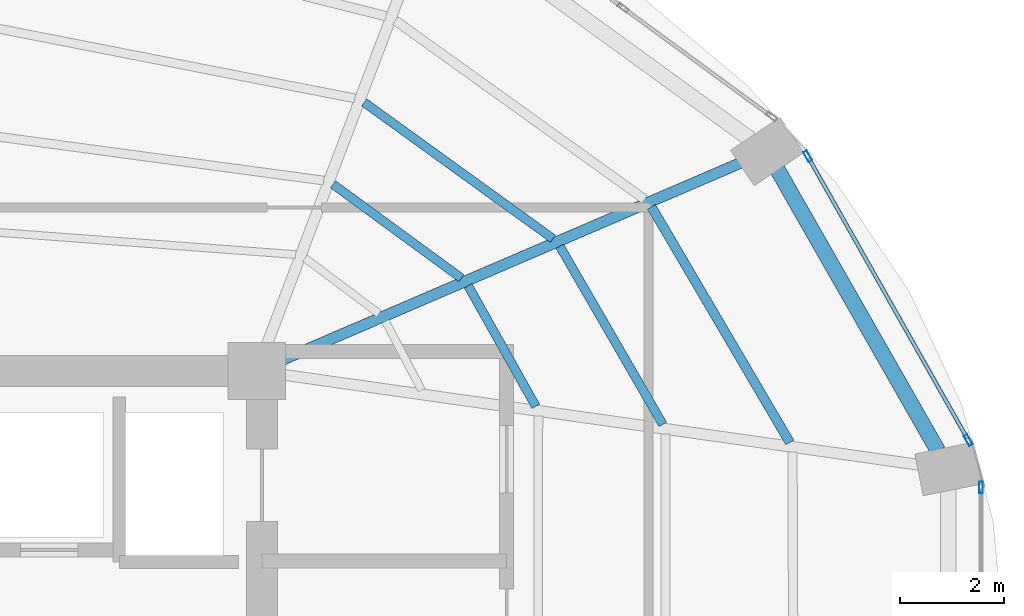
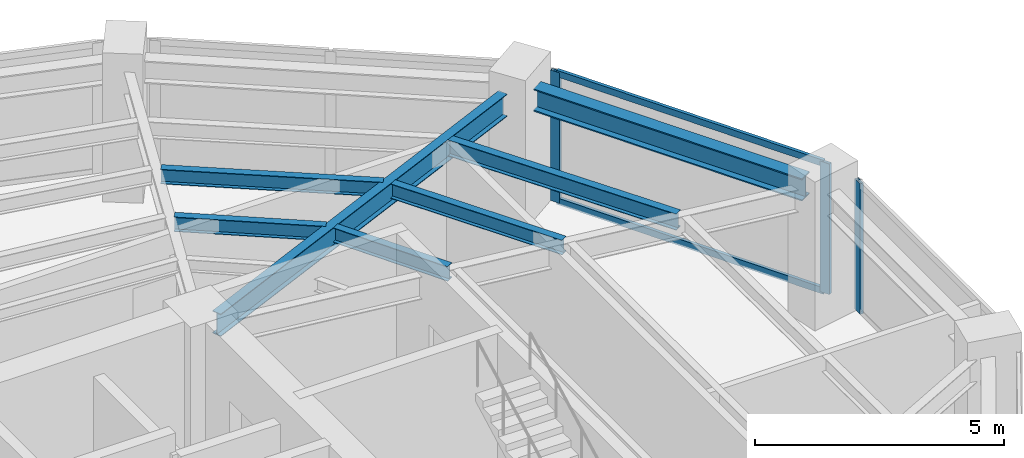
# One storey, part 11 of 20: 7 beams, 5 members, 2 elements without a shape of their own.
"""IFC4 building model written with IfcOpenShell, lengths in metres."""

from ifc_helpers import new_model, si_unit, direction, frame, origin, origin_2d, place, context, subcontext, project, spatial, hollow_rectangle, i_section, extrude, material, layer, layer_set, material_profile, profile_set, type_object, element, aggregate, save


model = new_model("IFC4")

# Units and contexts
model_context = context("Model", 3, precision=1e-05, world=origin(), true_north=direction((0.0, 1.0)))
body_context = subcontext(model_context, "Body", "Model", "MODEL_VIEW")
ifc_project = project(units=[si_unit("LENGTHUNIT", "METRE"), si_unit("AREAUNIT", "SQUARE_METRE"), si_unit("VOLUMEUNIT", "CUBIC_METRE"), si_unit("PLANEANGLEUNIT", "RADIAN"), si_unit("MASSUNIT", "GRAM", prefix="KILO")], contexts=[model_context])

# Site, building, storey
site_placement = place(None, origin())
site = spatial("IfcSite", under=ifc_project, at=site_placement, CompositionType="ELEMENT")
building_placement = place(site_placement, origin())
building = spatial("IfcBuilding", under=site, at=building_placement, Name="Lazwardi Medical Tower", CompositionType="ELEMENT")
storey_placement = place(building_placement, frame((0.0, 0.0, 185.7119140625)))
storey = spatial("IfcBuildingStorey", under=building, at=storey_placement, Name="L48", CompositionType="ELEMENT", Elevation=185.7119140625)

# Beams
ifc_material_1 = material(Name="Steel S355", Category="steel")
ifc_material_profile_1 = material_profile(ifc_material_1, i_section(OverallWidth=0.300048828125, OverallDepth=0.550048828125, WebThickness=0.014892578125, FlangeThickness=0.029052734375, at=origin_2d()), Name="HEB 550")
ifc_profile_set_1 = profile_set([ifc_material_profile_1], Name="Steel S355")
beam_type_1 = type_object("IfcBeamType", Name="BM-RB-Z3", PredefinedType="BEAM", material=ifc_profile_set_1)
beam_1_placement = place(storey_placement, frame((58.727783203125, 34.05908203125, 2.923095703125), z_axis=(-0.495460926326, 0.868630226554, 0.0), x_axis=(-0.868630226554, -0.495460926326, 0.0)))
element("IfcBeam", 1, at=beam_1_placement, inside=storey, type_object=beam_type_1, Name="Ring beam RB-04 B05 L48", PredefinedType="BEAM", context=body_context, shape_type="SweptSolid", body=[
    extrude(i_section(OverallWidth=0.300048828125, OverallDepth=0.550048828125, WebThickness=0.014892578125, FlangeThickness=0.029052734375, at=origin_2d()), origin(), (0.0, 0.0, 1.0), 6.24462890625),
])
ifc_material_profile_2 = material_profile(ifc_material_1, i_section(OverallWidth=0.2099609375, OverallDepth=0.550048828125, WebThickness=0.010986328125, FlangeThickness=0.01708984375, at=origin_2d()), Name="IPE 550")
ifc_profile_set_2 = profile_set([ifc_material_profile_2], Name="Steel S355")
beam_type_2 = type_object("IfcBeamType", Name="BM-RG-W2", PredefinedType="BEAM", material=ifc_profile_set_2)
beam_2_placement = place(storey_placement, frame((54.921142578125, 39.609619140625, 2.923095703125), z_axis=(-0.918608156288, -0.395169653695, 0.0), x_axis=(0.395169653695, -0.918608156288, 0.0)))
element("IfcBeam", 2, at=beam_2_placement, inside=storey, type_object=beam_type_2, Name="Radial girder RG-03 R06 L48", PredefinedType="BEAM", context=body_context, shape_type="SweptSolid", body=[
    extrude(i_section(OverallWidth=0.2099609375, OverallDepth=0.550048828125, WebThickness=0.010986328125, FlangeThickness=0.01708984375, at=origin_2d()), origin(), (0.0, 0.0, 1.0), 9.61181640625),
])
ifc_material_profile_3 = material_profile(ifc_material_1, i_section(OverallWidth=0.179931640625, OverallDepth=0.39990234375, WebThickness=0.008544921875, FlangeThickness=0.013427734375, at=origin_2d()), Name="IPE 400")
ifc_profile_set_3 = profile_set([ifc_material_profile_3], Name="Steel S355")
beam_type_3 = type_object("IfcBeamType", Name="BM-SJ-01", PredefinedType="JOIST", material=ifc_profile_set_3)
beam_3_placement = place(storey_placement, frame((55.872314453125, 34.223388671875, 2.998046875), z_axis=(-0.506420212881, 0.862286824662, 0.0), x_axis=(-0.862286824662, -0.506420212881, 0.0)))
element("IfcBeam", 3, at=beam_3_placement, inside=storey, type_object=beam_type_3, Name="Secondary joist SJ-01 R1 B05 L48", PredefinedType="JOIST", context=body_context, shape_type="SweptSolid", body=[
    extrude(i_section(OverallWidth=0.179931640625, OverallDepth=0.39990234375, WebThickness=0.008544921875, FlangeThickness=0.013427734375, at=origin_2d()), origin(), (0.0, 0.0, 1.0), 5.265380859375),
])
ifc_material_profile_4 = material_profile(ifc_material_1, i_section(OverallWidth=0.169921875, OverallDepth=0.360107421875, WebThickness=0.008056640625, FlangeThickness=0.0126953125, at=origin_2d()), Name="IPE 360")
ifc_profile_set_4 = profile_set([ifc_material_profile_4], Name="Steel S355")
beam_type_4 = type_object("IfcBeamType", Name="BM-SJ-02", PredefinedType="JOIST", material=ifc_profile_set_4)
beam_4_placement = place(storey_placement, frame((53.4248046875, 34.57080078125, 3.01806640625), z_axis=(-0.500640648605, 0.865655209055, 0.0), x_axis=(-0.865655209055, -0.500640648605, 0.0)))
element("IfcBeam", 4, at=beam_4_placement, inside=storey, type_object=beam_type_4, Name="Secondary joist SJ-02 R2 B05 L48", PredefinedType="JOIST", context=body_context, shape_type="SweptSolid", body=[
    extrude(i_section(OverallWidth=0.169921875, OverallDepth=0.360107421875, WebThickness=0.008056640625, FlangeThickness=0.0126953125, at=origin_2d()), origin(), (0.0, 0.0, 1.0), 3.965576171875),
])
beam_5_placement = place(storey_placement, frame((51.30810546875, 38.148681640625, 3.01806640625), z_axis=(-0.810738039179, 0.585409114917, 0.0), x_axis=(-0.585409114917, -0.810738039179, 0.0)))
element("IfcBeam", 5, at=beam_5_placement, inside=storey, type_object=beam_type_4, Name="Secondary joist SJ-02 R2 B06 L48", PredefinedType="JOIST", context=body_context, shape_type="SweptSolid", body=[
    extrude(i_section(OverallWidth=0.169921875, OverallDepth=0.360107421875, WebThickness=0.008056640625, FlangeThickness=0.0126953125, at=origin_2d()), origin(), (0.0, 0.0, 1.0), 4.48779296875),
])
beam_6_placement = place(storey_placement, frame((50.977294921875, 34.918212890625, 3.01806640625), z_axis=(-0.489408945026, 0.872054404569, 0.0), x_axis=(-0.872054404569, -0.489408945026, 0.0)))
element("IfcBeam", 6, at=beam_6_placement, inside=storey, type_object=beam_type_4, Name="Secondary joist SJ-02 R3 B05 L48", PredefinedType="JOIST", context=body_context, shape_type="SweptSolid", body=[
    extrude(i_section(OverallWidth=0.169921875, OverallDepth=0.360107421875, WebThickness=0.008056640625, FlangeThickness=0.0126953125, at=origin_2d()), origin(), (0.0, 0.0, 1.0), 2.666259765625),
])
beam_7_placement = place(storey_placement, frame((49.54248046875, 37.3896484375, 3.01806640625), z_axis=(-0.807285959008, 0.590160470033, 0.0), x_axis=(-0.590160470033, -0.807285959008, 0.0)))
element("IfcBeam", 7, at=beam_7_placement, inside=storey, type_object=beam_type_4, Name="Secondary joist SJ-02 R3 B06 L48", PredefinedType="JOIST", context=body_context, shape_type="SweptSolid", body=[
    extrude(i_section(OverallWidth=0.169921875, OverallDepth=0.360107421875, WebThickness=0.008056640625, FlangeThickness=0.0126953125, at=origin_2d()), origin(), (0.0, 0.0, 1.0), 3.06298828125),
])

# Curtain wall, member
ifc_material_2 = material(Name="Anodised bronze aluminium and solar control glazing", Category="aluminium")
ifc_layer = layer(ifc_material_2, 0.195068359375)
ifc_layer_set = layer_set([ifc_layer], Name="Anodised bronze aluminium and solar control glazing")
curtain_wall_type = type_object("IfcCurtainWallType", Name="CW-SYS-03", PredefinedType="NOTDEFINED", material=ifc_layer_set)
curtain_wall_1_placement = place(storey_placement, origin())
curtain_wall_1 = element("IfcCurtainWall", 8, at=curtain_wall_1_placement, inside=storey, type_object=curtain_wall_type, Name="L48 Unitised bronze curtain wall CW-03", PredefinedType="NOTDEFINED")
ifc_material_3 = material(Name="Anodised bronze aluminium", Category="aluminium")
ifc_material_profile_5 = material_profile(ifc_material_3, hollow_rectangle(XDim=0.074951171875, YDim=0.219970703125, WallThickness=0.00390625, at=origin_2d()), Name="ALU-MULLION 220x75x4")
ifc_profile_set_5 = profile_set([ifc_material_profile_5], Name="Anodised bronze aluminium")
member_type_1 = type_object("IfcMemberType", Name="CW-MUL-01", PredefinedType="MULLION", material=ifc_profile_set_5)
member_1_placement = place(storey_placement, frame((59.5576171875, 33.35791015625, 0.0), z_axis=(0.0, 0.0, 1.0), x_axis=(-1.0, 0.0, 0.0)))
member_1 = element("IfcMember", 9, at=member_1_placement, type_object=member_type_1, Name="CW-03 mullion 2", PredefinedType="MULLION", context=body_context, shape_type="SweptSolid", body=[
    extrude(hollow_rectangle(XDim=0.074951171875, YDim=0.219970703125, WallThickness=0.00390625, at=origin_2d()), origin(), (0.0, 0.0, 1.0), 3.197998046875),
])
aggregate(curtain_wall_1, [member_1])

# Curtain wall, members
curtain_wall_2_placement = place(storey_placement, origin())
curtain_wall_2 = element("IfcCurtainWall", 10, at=curtain_wall_2_placement, inside=storey, type_object=curtain_wall_type, Name="L48 Unitised bronze curtain wall CW-03", PredefinedType="NOTDEFINED")
member_2_placement = place(storey_placement, frame((59.31103515625, 34.267333984375, 0.0), z_axis=(0.0, 0.0, 1.0), x_axis=(-0.870418989303, -0.492311672683, 0.0)))
member_2 = element("IfcMember", 11, at=member_2_placement, type_object=member_type_1, Name="CW-03 mullion 1", PredefinedType="MULLION", context=body_context, shape_type="SweptSolid", body=[
    extrude(hollow_rectangle(XDim=0.074951171875, YDim=0.219970703125, WallThickness=0.00390625, at=origin_2d()), origin(), (0.0, 0.0, 1.0), 3.197998046875),
])
member_3_placement = place(storey_placement, frame((56.217529296875, 39.73681640625, 0.0), z_axis=(0.0, 0.0, 1.0), x_axis=(-0.870418989303, -0.492311672683, 0.0)))
member_3 = element("IfcMember", 12, at=member_3_placement, type_object=member_type_1, Name="CW-03 mullion 2", PredefinedType="MULLION", context=body_context, shape_type="SweptSolid", body=[
    extrude(hollow_rectangle(XDim=0.074951171875, YDim=0.219970703125, WallThickness=0.00390625, at=origin_2d()), origin(), (0.0, 0.0, 1.0), 3.197998046875),
])
ifc_material_profile_6 = material_profile(ifc_material_3, hollow_rectangle(XDim=0.074951171875, YDim=0.159912109375, WallThickness=0.00390625, at=origin_2d()), Name="ALU-TRANSOM 160x75x4")
ifc_profile_set_6 = profile_set([ifc_material_profile_6], Name="Anodised bronze aluminium")
member_type_2 = type_object("IfcMemberType", Name="CW-TRN-01", PredefinedType="USERDEFINED", material=ifc_profile_set_6)
member_4_placement = place(storey_placement, frame((59.292724609375, 34.2998046875, 0.03759765625), z_axis=(-0.492306010269, 0.870422191958, 0.0), x_axis=(-0.870422191958, -0.492306010269, 0.0)))
member_4 = element("IfcMember", 13, at=member_4_placement, type_object=member_type_2, Name="CW-03 transom 1.1", ObjectType="TRANSOM", PredefinedType="USERDEFINED", context=body_context, shape_type="SweptSolid", body=[
    extrude(hollow_rectangle(XDim=0.074951171875, YDim=0.159912109375, WallThickness=0.00390625, at=origin_2d()), origin(), (0.0, 0.0, 1.0), 6.208740234375),
])
member_5_placement = place(storey_placement, frame((59.292724609375, 34.2998046875, 3.16064453125), z_axis=(-0.492306010269, 0.870422191958, 0.0), x_axis=(-0.870422191958, -0.492306010269, 0.0)))
member_5 = element("IfcMember", 14, at=member_5_placement, type_object=member_type_2, Name="CW-03 transom 1.2", ObjectType="TRANSOM", PredefinedType="USERDEFINED", context=body_context, shape_type="SweptSolid", body=[
    extrude(hollow_rectangle(XDim=0.074951171875, YDim=0.159912109375, WallThickness=0.00390625, at=origin_2d()), origin(), (0.0, 0.0, 1.0), 6.208740234375),
])
aggregate(curtain_wall_2, [member_2, member_3, member_4, member_5])

save(model, "model.ifc")
